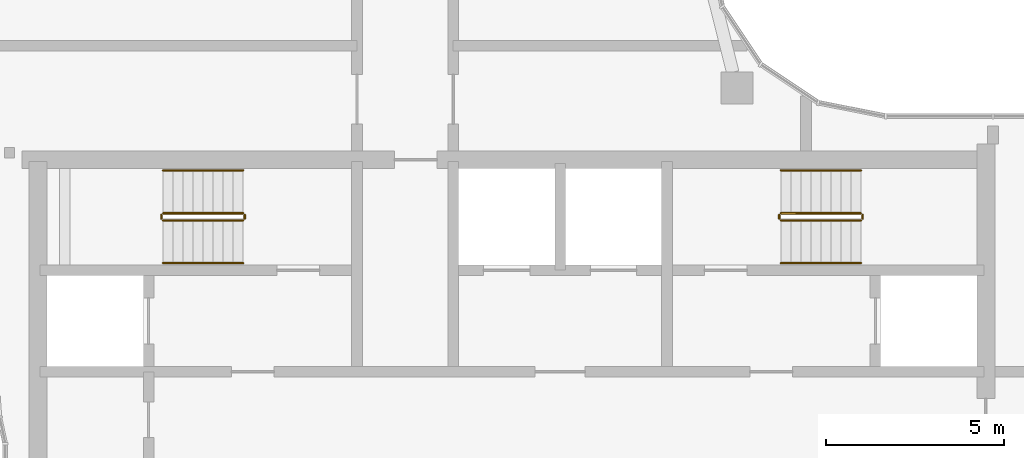
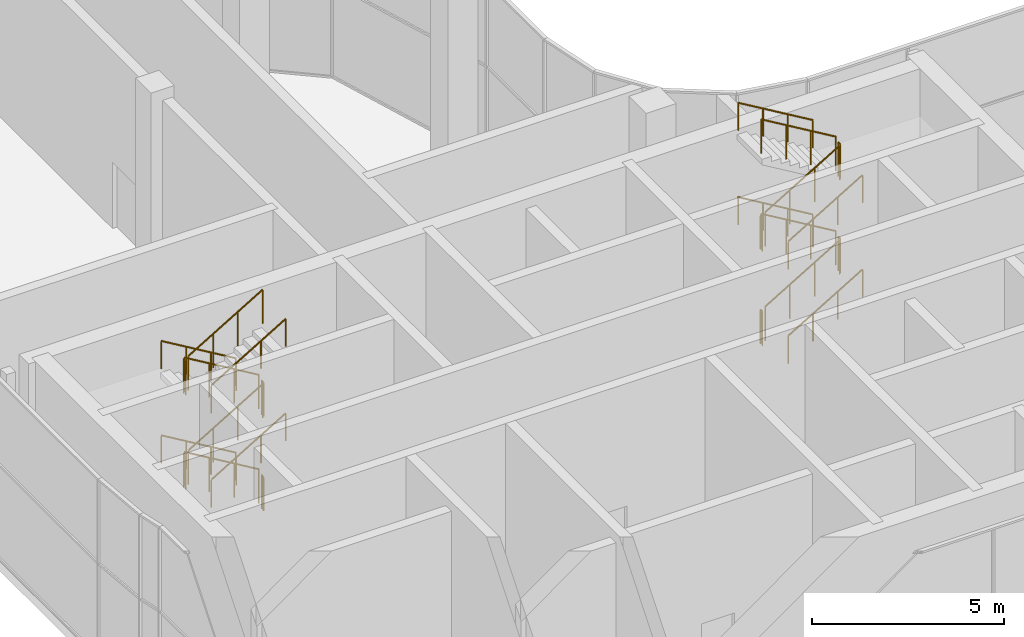
# One storey, part 20 of 21: 24 railings.
"""IFC4 building model written with IfcOpenShell, lengths in metres."""

from ifc_helpers import new_model, si_unit, direction, frame, origin, origin_2d, place, context, subcontext, project, spatial, circle, extrude, material, type_object, element, save


model = new_model("IFC4")

# Units and contexts
model_context = context("Model", 3, precision=1e-05, world=origin(), true_north=direction((0.0, 1.0)))
body_context = subcontext(model_context, "Body", "Model", "MODEL_VIEW")
ifc_project = project(units=[si_unit("LENGTHUNIT", "METRE"), si_unit("AREAUNIT", "SQUARE_METRE"), si_unit("VOLUMEUNIT", "CUBIC_METRE"), si_unit("PLANEANGLEUNIT", "RADIAN"), si_unit("MASSUNIT", "GRAM", prefix="KILO")], contexts=[model_context])

# Site, building, storey
site_placement = place(None, origin())
site = spatial("IfcSite", under=ifc_project, at=site_placement, CompositionType="ELEMENT")
building_placement = place(site_placement, origin())
building = spatial("IfcBuilding", under=site, at=building_placement, Name="Ogive Portal Towers", CompositionType="ELEMENT")
storey_placement = place(building_placement, frame((0.0, 0.0, 266.89990234375)))
storey = spatial("IfcBuildingStorey", under=building, at=storey_placement, Name="L65", CompositionType="ELEMENT", Elevation=266.89990234375)

# Railings
ifc_material_1 = material(Name="Stainless steel balustrade", Category="steel")
railing_type_1 = type_object("IfcRailingType", Name="INT-GUARD", PredefinedType="GUARDRAIL", material=ifc_material_1)
railing_1_placement = place(storey_placement, frame((37.449951171875, 37.800048828125, 0.166748046875)))
element("IfcRailing", 1, at=railing_1_placement, inside=storey, type_object=railing_type_1, Name="L65 ST-A1 stair guard 1", PredefinedType="GUARDRAIL", context=body_context, shape_type="SweptSolid", body=[
    extrude(circle(Radius=0.02392578125, at=origin_2d()), frame((0.0, 0.0, 1.076171875), z_axis=(-0.859305625298, 0.0, 0.511462454469), x_axis=(0.0, -1.0, 0.0)), (0.0, 0.0, 1.0), 2.606689453125),
    extrude(circle(Radius=0.02099609375, at=origin_2d()), origin(), (0.0, 0.0, 1.0), 1.052001953125),
    extrude(circle(Radius=0.02099609375, at=origin_2d()), frame((-0.74658203125, 0.0, 0.4443359375)), (0.0, 0.0, 1.0), 1.052001953125),
    extrude(circle(Radius=0.02099609375, at=origin_2d()), frame((-1.493408203125, 0.0, 0.888916015625)), (0.0, 0.0, 1.0), 1.052001953125),
    extrude(circle(Radius=0.02099609375, at=origin_2d()), frame((-2.239990234375, 0.0, 1.333251953125)), (0.0, 0.0, 1.0), 1.052001953125),
])
railing_2_placement = place(storey_placement, frame((35.159912109375, 37.75, 1.5)))
element("IfcRailing", 2, at=railing_2_placement, inside=storey, type_object=railing_type_1, Name="L65 ST-A1 stair guard 2", PredefinedType="GUARDRAIL", context=body_context, shape_type="SweptSolid", body=[
    extrude(circle(Radius=0.02392578125, at=origin_2d()), frame((0.0, 0.0, 1.076171875), z_axis=(0.0, -1.0, 0.0), x_axis=(1.0, 0.0, 0.0)), (0.0, 0.0, 1.0), 0.10009765625),
    extrude(circle(Radius=0.02099609375, at=origin_2d()), origin(), (0.0, 0.0, 1.0), 1.052001953125),
    extrude(circle(Radius=0.02099609375, at=origin_2d()), frame((0.0, -0.10009765625, 0.0)), (0.0, 0.0, 1.0), 1.052001953125),
])
railing_3_placement = place(storey_placement, frame((35.2099609375, 37.60009765625, 1.666748046875)))
element("IfcRailing", 3, at=railing_3_placement, inside=storey, type_object=railing_type_1, Name="L65 ST-A1 stair guard 3", PredefinedType="GUARDRAIL", context=body_context, shape_type="SweptSolid", body=[
    extrude(circle(Radius=0.02392578125, at=origin_2d()), frame((0.0, 0.0, 1.076171875), z_axis=(0.859305625298, 0.0, 0.511462454469), x_axis=(0.0, 1.0, 0.0)), (0.0, 0.0, 1.0), 2.606689453125),
    extrude(circle(Radius=0.02099609375, at=origin_2d()), origin(), (0.0, 0.0, 1.0), 1.052001953125),
    extrude(circle(Radius=0.02099609375, at=origin_2d()), frame((0.74658203125, 0.0, 0.4443359375)), (0.0, 0.0, 1.0), 1.052001953125),
    extrude(circle(Radius=0.02099609375, at=origin_2d()), frame((1.493408203125, 0.0, 0.888916015625)), (0.0, 0.0, 1.0), 1.052001953125),
    extrude(circle(Radius=0.02099609375, at=origin_2d()), frame((2.239990234375, 0.0, 1.333251953125)), (0.0, 0.0, 1.0), 1.052001953125),
])
railing_4_placement = place(storey_placement, frame((37.5, 37.75, 3.0)))
element("IfcRailing", 4, at=railing_4_placement, inside=storey, type_object=railing_type_1, Name="L65 ST-A1 stair guard 4", PredefinedType="GUARDRAIL", context=body_context, shape_type="SweptSolid", body=[
    extrude(circle(Radius=0.02392578125, at=origin_2d()), frame((0.0, 0.0, 1.076171875), z_axis=(0.0, -1.0, 0.0), x_axis=(1.0, 0.0, 0.0)), (0.0, 0.0, 1.0), 0.10009765625),
    extrude(circle(Radius=0.02099609375, at=origin_2d()), origin(), (0.0, 0.0, 1.0), 1.052001953125),
    extrude(circle(Radius=0.02099609375, at=origin_2d()), frame((0.0, -0.10009765625, 0.0)), (0.0, 0.0, 1.0), 1.052001953125),
])
railing_5_placement = place(storey_placement, frame((37.449951171875, 37.800048828125, 3.166748046875)))
element("IfcRailing", 5, at=railing_5_placement, inside=storey, type_object=railing_type_1, Name="L65 ST-A1 stair guard 5", PredefinedType="GUARDRAIL", context=body_context, shape_type="SweptSolid", body=[
    extrude(circle(Radius=0.02392578125, at=origin_2d()), frame((0.0, 0.0, 1.076171875), z_axis=(-0.859305625298, 0.0, 0.511462454469), x_axis=(0.0, -1.0, 0.0)), (0.0, 0.0, 1.0), 2.606689453125),
    extrude(circle(Radius=0.02099609375, at=origin_2d()), origin(), (0.0, 0.0, 1.0), 1.052001953125),
    extrude(circle(Radius=0.02099609375, at=origin_2d()), frame((-0.74658203125, 0.0, 0.4443359375)), (0.0, 0.0, 1.0), 1.052001953125),
    extrude(circle(Radius=0.02099609375, at=origin_2d()), frame((-1.493408203125, 0.0, 0.888916015625)), (0.0, 0.0, 1.0), 1.052001953125),
    extrude(circle(Radius=0.02099609375, at=origin_2d()), frame((-2.239990234375, 0.0, 1.333251953125)), (0.0, 0.0, 1.0), 1.052001953125),
])
railing_6_placement = place(storey_placement, frame((35.159912109375, 37.75, 4.5)))
element("IfcRailing", 6, at=railing_6_placement, inside=storey, type_object=railing_type_1, Name="L65 ST-A1 stair guard 6", PredefinedType="GUARDRAIL", context=body_context, shape_type="SweptSolid", body=[
    extrude(circle(Radius=0.02392578125, at=origin_2d()), frame((0.0, 0.0, 1.076171875), z_axis=(0.0, -1.0, 0.0), x_axis=(1.0, 0.0, 0.0)), (0.0, 0.0, 1.0), 0.10009765625),
    extrude(circle(Radius=0.02099609375, at=origin_2d()), origin(), (0.0, 0.0, 1.0), 1.052001953125),
    extrude(circle(Radius=0.02099609375, at=origin_2d()), frame((0.0, -0.10009765625, 0.0)), (0.0, 0.0, 1.0), 1.052001953125),
])
railing_7_placement = place(storey_placement, frame((35.2099609375, 37.60009765625, 4.666748046875)))
element("IfcRailing", 7, at=railing_7_placement, inside=storey, type_object=railing_type_1, Name="L65 ST-A1 stair guard 7", PredefinedType="GUARDRAIL", context=body_context, shape_type="SweptSolid", body=[
    extrude(circle(Radius=0.02392578125, at=origin_2d()), frame((0.0, 0.0, 1.076171875), z_axis=(0.859305625298, 0.0, 0.511462454469), x_axis=(0.0, 1.0, 0.0)), (0.0, 0.0, 1.0), 2.606689453125),
    extrude(circle(Radius=0.02099609375, at=origin_2d()), origin(), (0.0, 0.0, 1.0), 1.052001953125),
    extrude(circle(Radius=0.02099609375, at=origin_2d()), frame((0.74658203125, 0.0, 0.4443359375)), (0.0, 0.0, 1.0), 1.052001953125),
    extrude(circle(Radius=0.02099609375, at=origin_2d()), frame((1.493408203125, 0.0, 0.888916015625)), (0.0, 0.0, 1.0), 1.052001953125),
    extrude(circle(Radius=0.02099609375, at=origin_2d()), frame((2.239990234375, 0.0, 1.333251953125)), (0.0, 0.0, 1.0), 1.052001953125),
])
railing_8_placement = place(storey_placement, frame((37.5, 37.75, 0.0)))
element("IfcRailing", 8, at=railing_8_placement, inside=storey, type_object=railing_type_1, Name="L65 ST-A1 stair guard 8", PredefinedType="GUARDRAIL", context=body_context, shape_type="SweptSolid", body=[
    extrude(circle(Radius=0.02392578125, at=origin_2d()), frame((0.0, 0.0, 1.076171875), z_axis=(0.0, -1.0, 0.0), x_axis=(1.0, 0.0, 0.0)), (0.0, 0.0, 1.0), 0.10009765625),
    extrude(circle(Radius=0.02099609375, at=origin_2d()), origin(), (0.0, 0.0, 1.0), 1.052001953125),
    extrude(circle(Radius=0.02099609375, at=origin_2d()), frame((0.0, -0.10009765625, 0.0)), (0.0, 0.0, 1.0), 1.052001953125),
])
railing_9_placement = place(storey_placement, frame((52.550048828125, 37.60009765625, 0.166748046875)))
element("IfcRailing", 9, at=railing_9_placement, inside=storey, type_object=railing_type_1, Name="L65 ST-A2 stair guard 1", PredefinedType="GUARDRAIL", context=body_context, shape_type="SweptSolid", body=[
    extrude(circle(Radius=0.02392578125, at=origin_2d()), frame((0.0, 0.0, 1.076171875), z_axis=(0.859305625298, 0.0, 0.511462454469), x_axis=(0.0, 1.0, 0.0)), (0.0, 0.0, 1.0), 2.606689453125),
    extrude(circle(Radius=0.02099609375, at=origin_2d()), origin(), (0.0, 0.0, 1.0), 1.052001953125),
    extrude(circle(Radius=0.02099609375, at=origin_2d()), frame((0.74658203125, 0.0, 0.4443359375)), (0.0, 0.0, 1.0), 1.052001953125),
    extrude(circle(Radius=0.02099609375, at=origin_2d()), frame((1.493408203125, 0.0, 0.888916015625)), (0.0, 0.0, 1.0), 1.052001953125),
    extrude(circle(Radius=0.02099609375, at=origin_2d()), frame((2.239990234375, 0.0, 1.333251953125)), (0.0, 0.0, 1.0), 1.052001953125),
])
railing_10_placement = place(storey_placement, frame((54.840087890625, 37.64990234375, 1.5)))
element("IfcRailing", 10, at=railing_10_placement, inside=storey, type_object=railing_type_1, Name="L65 ST-A2 stair guard 2", PredefinedType="GUARDRAIL", context=body_context, shape_type="SweptSolid", body=[
    extrude(circle(Radius=0.02392578125, at=origin_2d()), frame((0.0, 0.0, 1.076171875), z_axis=(0.0, 1.0, 0.0), x_axis=(-1.0, 0.0, 0.0)), (0.0, 0.0, 1.0), 0.10009765625),
    extrude(circle(Radius=0.02099609375, at=origin_2d()), origin(), (0.0, 0.0, 1.0), 1.052001953125),
    extrude(circle(Radius=0.02099609375, at=origin_2d()), frame((0.0, 0.10009765625, 0.0)), (0.0, 0.0, 1.0), 1.052001953125),
])
railing_11_placement = place(storey_placement, frame((54.7900390625, 37.800048828125, 1.666748046875)))
element("IfcRailing", 11, at=railing_11_placement, inside=storey, type_object=railing_type_1, Name="L65 ST-A2 stair guard 3", PredefinedType="GUARDRAIL", context=body_context, shape_type="SweptSolid", body=[
    extrude(circle(Radius=0.02392578125, at=origin_2d()), frame((0.0, 0.0, 1.076171875), z_axis=(-0.859305625298, 0.0, 0.511462454469), x_axis=(0.0, -1.0, 0.0)), (0.0, 0.0, 1.0), 2.606689453125),
    extrude(circle(Radius=0.02099609375, at=origin_2d()), origin(), (0.0, 0.0, 1.0), 1.052001953125),
    extrude(circle(Radius=0.02099609375, at=origin_2d()), frame((-0.74658203125, 0.0, 0.4443359375)), (0.0, 0.0, 1.0), 1.052001953125),
    extrude(circle(Radius=0.02099609375, at=origin_2d()), frame((-1.493408203125, 0.0, 0.888916015625)), (0.0, 0.0, 1.0), 1.052001953125),
    extrude(circle(Radius=0.02099609375, at=origin_2d()), frame((-2.239990234375, 0.0, 1.333251953125)), (0.0, 0.0, 1.0), 1.052001953125),
])
railing_12_placement = place(storey_placement, frame((52.5, 37.64990234375, 3.0)))
element("IfcRailing", 12, at=railing_12_placement, inside=storey, type_object=railing_type_1, Name="L65 ST-A2 stair guard 4", PredefinedType="GUARDRAIL", context=body_context, shape_type="SweptSolid", body=[
    extrude(circle(Radius=0.02392578125, at=origin_2d()), frame((0.0, 0.0, 1.076171875), z_axis=(0.0, 1.0, 0.0), x_axis=(-1.0, 0.0, 0.0)), (0.0, 0.0, 1.0), 0.10009765625),
    extrude(circle(Radius=0.02099609375, at=origin_2d()), origin(), (0.0, 0.0, 1.0), 1.052001953125),
    extrude(circle(Radius=0.02099609375, at=origin_2d()), frame((0.0, 0.10009765625, 0.0)), (0.0, 0.0, 1.0), 1.052001953125),
])
railing_13_placement = place(storey_placement, frame((52.550048828125, 37.60009765625, 3.166748046875)))
element("IfcRailing", 13, at=railing_13_placement, inside=storey, type_object=railing_type_1, Name="L65 ST-A2 stair guard 5", PredefinedType="GUARDRAIL", context=body_context, shape_type="SweptSolid", body=[
    extrude(circle(Radius=0.02392578125, at=origin_2d()), frame((0.0, 0.0, 1.076171875), z_axis=(0.859305625298, 0.0, 0.511462454469), x_axis=(0.0, 1.0, 0.0)), (0.0, 0.0, 1.0), 2.606689453125),
    extrude(circle(Radius=0.02099609375, at=origin_2d()), origin(), (0.0, 0.0, 1.0), 1.052001953125),
    extrude(circle(Radius=0.02099609375, at=origin_2d()), frame((0.74658203125, 0.0, 0.4443359375)), (0.0, 0.0, 1.0), 1.052001953125),
    extrude(circle(Radius=0.02099609375, at=origin_2d()), frame((1.493408203125, 0.0, 0.888916015625)), (0.0, 0.0, 1.0), 1.052001953125),
    extrude(circle(Radius=0.02099609375, at=origin_2d()), frame((2.239990234375, 0.0, 1.333251953125)), (0.0, 0.0, 1.0), 1.052001953125),
])
railing_14_placement = place(storey_placement, frame((54.840087890625, 37.64990234375, 4.5)))
element("IfcRailing", 14, at=railing_14_placement, inside=storey, type_object=railing_type_1, Name="L65 ST-A2 stair guard 6", PredefinedType="GUARDRAIL", context=body_context, shape_type="SweptSolid", body=[
    extrude(circle(Radius=0.02392578125, at=origin_2d()), frame((0.0, 0.0, 1.076171875), z_axis=(0.0, 1.0, 0.0), x_axis=(-1.0, 0.0, 0.0)), (0.0, 0.0, 1.0), 0.10009765625),
    extrude(circle(Radius=0.02099609375, at=origin_2d()), origin(), (0.0, 0.0, 1.0), 1.052001953125),
    extrude(circle(Radius=0.02099609375, at=origin_2d()), frame((0.0, 0.10009765625, 0.0)), (0.0, 0.0, 1.0), 1.052001953125),
])
railing_15_placement = place(storey_placement, frame((54.7900390625, 37.800048828125, 4.666748046875)))
element("IfcRailing", 15, at=railing_15_placement, inside=storey, type_object=railing_type_1, Name="L65 ST-A2 stair guard 7", PredefinedType="GUARDRAIL", context=body_context, shape_type="SweptSolid", body=[
    extrude(circle(Radius=0.02392578125, at=origin_2d()), frame((0.0, 0.0, 1.076171875), z_axis=(-0.859305625298, 0.0, 0.511462454469), x_axis=(0.0, -1.0, 0.0)), (0.0, 0.0, 1.0), 2.606689453125),
    extrude(circle(Radius=0.02099609375, at=origin_2d()), origin(), (0.0, 0.0, 1.0), 1.052001953125),
    extrude(circle(Radius=0.02099609375, at=origin_2d()), frame((-0.74658203125, 0.0, 0.4443359375)), (0.0, 0.0, 1.0), 1.052001953125),
    extrude(circle(Radius=0.02099609375, at=origin_2d()), frame((-1.493408203125, 0.0, 0.888916015625)), (0.0, 0.0, 1.0), 1.052001953125),
    extrude(circle(Radius=0.02099609375, at=origin_2d()), frame((-2.239990234375, 0.0, 1.333251953125)), (0.0, 0.0, 1.0), 1.052001953125),
])
railing_16_placement = place(storey_placement, frame((52.5, 37.64990234375, 0.0)))
element("IfcRailing", 16, at=railing_16_placement, inside=storey, type_object=railing_type_1, Name="L65 ST-A2 stair guard 8", PredefinedType="GUARDRAIL", context=body_context, shape_type="SweptSolid", body=[
    extrude(circle(Radius=0.02392578125, at=origin_2d()), frame((0.0, 0.0, 1.076171875), z_axis=(0.0, 1.0, 0.0), x_axis=(-1.0, 0.0, 0.0)), (0.0, 0.0, 1.0), 0.10009765625),
    extrude(circle(Radius=0.02099609375, at=origin_2d()), origin(), (0.0, 0.0, 1.0), 1.052001953125),
    extrude(circle(Radius=0.02099609375, at=origin_2d()), frame((0.0, 0.10009765625, 0.0)), (0.0, 0.0, 1.0), 1.052001953125),
])
ifc_material_2 = material(Name="Stainless steel handrail", Category="steel")
railing_type_2 = type_object("IfcRailingType", Name="INT-HANDRAIL", PredefinedType="HANDRAIL", material=ifc_material_2)
railing_17_placement = place(storey_placement, frame((37.449951171875, 39.0, 0.166748046875)))
element("IfcRailing", 17, at=railing_17_placement, inside=storey, type_object=railing_type_2, Name="L65 ST-A1 stair handrail 1", PredefinedType="HANDRAIL", context=body_context, shape_type="SweptSolid", body=[
    extrude(circle(Radius=0.02392578125, at=origin_2d()), frame((0.0, 0.0, 0.8759765625), z_axis=(-0.859305625298, 0.0, 0.511462454469), x_axis=(0.0, -1.0, 0.0)), (0.0, 0.0, 1.0), 2.606689453125),
    extrude(circle(Radius=0.02099609375, at=origin_2d()), origin(), (0.0, 0.0, 1.0), 0.851806640625),
    extrude(circle(Radius=0.02099609375, at=origin_2d()), frame((-0.74658203125, 0.0, 0.4443359375)), (0.0, 0.0, 1.0), 0.851806640625),
    extrude(circle(Radius=0.02099609375, at=origin_2d()), frame((-1.493408203125, 0.0, 0.888916015625)), (0.0, 0.0, 1.0), 0.851806640625),
    extrude(circle(Radius=0.02099609375, at=origin_2d()), frame((-2.239990234375, 0.0, 1.333251953125)), (0.0, 0.0, 1.0), 0.851806640625),
])
railing_18_placement = place(storey_placement, frame((35.2099609375, 36.39990234375, 1.666748046875)))
element("IfcRailing", 18, at=railing_18_placement, inside=storey, type_object=railing_type_2, Name="L65 ST-A1 stair handrail 2", PredefinedType="HANDRAIL", context=body_context, shape_type="SweptSolid", body=[
    extrude(circle(Radius=0.02392578125, at=origin_2d()), frame((0.0, 0.0, 0.8759765625), z_axis=(0.859305625298, 0.0, 0.511462454469), x_axis=(0.0, 1.0, 0.0)), (0.0, 0.0, 1.0), 2.606689453125),
    extrude(circle(Radius=0.02099609375, at=origin_2d()), origin(), (0.0, 0.0, 1.0), 0.851806640625),
    extrude(circle(Radius=0.02099609375, at=origin_2d()), frame((0.74658203125, 0.0, 0.4443359375)), (0.0, 0.0, 1.0), 0.851806640625),
    extrude(circle(Radius=0.02099609375, at=origin_2d()), frame((1.493408203125, 0.0, 0.888916015625)), (0.0, 0.0, 1.0), 0.851806640625),
    extrude(circle(Radius=0.02099609375, at=origin_2d()), frame((2.239990234375, 0.0, 1.333251953125)), (0.0, 0.0, 1.0), 0.851806640625),
])
railing_19_placement = place(storey_placement, frame((37.449951171875, 39.0, 3.166748046875)))
element("IfcRailing", 19, at=railing_19_placement, inside=storey, type_object=railing_type_2, Name="L65 ST-A1 stair handrail 3", PredefinedType="HANDRAIL", context=body_context, shape_type="SweptSolid", body=[
    extrude(circle(Radius=0.02392578125, at=origin_2d()), frame((0.0, 0.0, 0.8759765625), z_axis=(-0.859305625298, 0.0, 0.511462454469), x_axis=(0.0, -1.0, 0.0)), (0.0, 0.0, 1.0), 2.606689453125),
    extrude(circle(Radius=0.02099609375, at=origin_2d()), origin(), (0.0, 0.0, 1.0), 0.851806640625),
    extrude(circle(Radius=0.02099609375, at=origin_2d()), frame((-0.74658203125, 0.0, 0.4443359375)), (0.0, 0.0, 1.0), 0.851806640625),
    extrude(circle(Radius=0.02099609375, at=origin_2d()), frame((-1.493408203125, 0.0, 0.888916015625)), (0.0, 0.0, 1.0), 0.851806640625),
    extrude(circle(Radius=0.02099609375, at=origin_2d()), frame((-2.239990234375, 0.0, 1.333251953125)), (0.0, 0.0, 1.0), 0.851806640625),
])
for number, where, name in (
    (20, (35.2099609375, 36.39990234375, 4.666748046875), "L65 ST-A1 stair handrail 4"),
    (21, (52.550048828125, 36.39990234375, 0.166748046875), "L65 ST-A2 stair handrail 1"),
):
    element("IfcRailing", number, at=place(storey_placement, frame(where)), inside=storey, type_object=railing_type_2, Name=name, PredefinedType="HANDRAIL", context=body_context, shape_type="SweptSolid", body=[
        extrude(circle(Radius=0.02392578125, at=origin_2d()), frame((0.0, 0.0, 0.8759765625), z_axis=(0.859305625298, 0.0, 0.511462454469), x_axis=(0.0, 1.0, 0.0)), (0.0, 0.0, 1.0), 2.606689453125),
        extrude(circle(Radius=0.02099609375, at=origin_2d()), origin(), (0.0, 0.0, 1.0), 0.851806640625),
        extrude(circle(Radius=0.02099609375, at=origin_2d()), frame((0.74658203125, 0.0, 0.4443359375)), (0.0, 0.0, 1.0), 0.851806640625),
        extrude(circle(Radius=0.02099609375, at=origin_2d()), frame((1.493408203125, 0.0, 0.888916015625)), (0.0, 0.0, 1.0), 0.851806640625),
        extrude(circle(Radius=0.02099609375, at=origin_2d()), frame((2.239990234375, 0.0, 1.333251953125)), (0.0, 0.0, 1.0), 0.851806640625),
    ])
railing_20_placement = place(storey_placement, frame((54.7900390625, 39.0, 1.666748046875)))
element("IfcRailing", 22, at=railing_20_placement, inside=storey, type_object=railing_type_2, Name="L65 ST-A2 stair handrail 2", PredefinedType="HANDRAIL", context=body_context, shape_type="SweptSolid", body=[
    extrude(circle(Radius=0.02392578125, at=origin_2d()), frame((0.0, 0.0, 0.8759765625), z_axis=(-0.859305625298, 0.0, 0.511462454469), x_axis=(0.0, -1.0, 0.0)), (0.0, 0.0, 1.0), 2.606689453125),
    extrude(circle(Radius=0.02099609375, at=origin_2d()), origin(), (0.0, 0.0, 1.0), 0.851806640625),
    extrude(circle(Radius=0.02099609375, at=origin_2d()), frame((-0.74658203125, 0.0, 0.4443359375)), (0.0, 0.0, 1.0), 0.851806640625),
    extrude(circle(Radius=0.02099609375, at=origin_2d()), frame((-1.493408203125, 0.0, 0.888916015625)), (0.0, 0.0, 1.0), 0.851806640625),
    extrude(circle(Radius=0.02099609375, at=origin_2d()), frame((-2.239990234375, 0.0, 1.333251953125)), (0.0, 0.0, 1.0), 0.851806640625),
])
railing_21_placement = place(storey_placement, frame((52.550048828125, 36.39990234375, 3.166748046875)))
element("IfcRailing", 23, at=railing_21_placement, inside=storey, type_object=railing_type_2, Name="L65 ST-A2 stair handrail 3", PredefinedType="HANDRAIL", context=body_context, shape_type="SweptSolid", body=[
    extrude(circle(Radius=0.02392578125, at=origin_2d()), frame((0.0, 0.0, 0.8759765625), z_axis=(0.859305625298, 0.0, 0.511462454469), x_axis=(0.0, 1.0, 0.0)), (0.0, 0.0, 1.0), 2.606689453125),
    extrude(circle(Radius=0.02099609375, at=origin_2d()), origin(), (0.0, 0.0, 1.0), 0.851806640625),
    extrude(circle(Radius=0.02099609375, at=origin_2d()), frame((0.74658203125, 0.0, 0.4443359375)), (0.0, 0.0, 1.0), 0.851806640625),
    extrude(circle(Radius=0.02099609375, at=origin_2d()), frame((1.493408203125, 0.0, 0.888916015625)), (0.0, 0.0, 1.0), 0.851806640625),
    extrude(circle(Radius=0.02099609375, at=origin_2d()), frame((2.239990234375, 0.0, 1.333251953125)), (0.0, 0.0, 1.0), 0.851806640625),
])
railing_22_placement = place(storey_placement, frame((54.7900390625, 39.0, 4.666748046875)))
element("IfcRailing", 24, at=railing_22_placement, inside=storey, type_object=railing_type_2, Name="L65 ST-A2 stair handrail 4", PredefinedType="HANDRAIL", context=body_context, shape_type="SweptSolid", body=[
    extrude(circle(Radius=0.02392578125, at=origin_2d()), frame((0.0, 0.0, 0.8759765625), z_axis=(-0.859305625298, 0.0, 0.511462454469), x_axis=(0.0, -1.0, 0.0)), (0.0, 0.0, 1.0), 2.606689453125),
    extrude(circle(Radius=0.02099609375, at=origin_2d()), origin(), (0.0, 0.0, 1.0), 0.851806640625),
    extrude(circle(Radius=0.02099609375, at=origin_2d()), frame((-0.74658203125, 0.0, 0.4443359375)), (0.0, 0.0, 1.0), 0.851806640625),
    extrude(circle(Radius=0.02099609375, at=origin_2d()), frame((-1.493408203125, 0.0, 0.888916015625)), (0.0, 0.0, 1.0), 0.851806640625),
    extrude(circle(Radius=0.02099609375, at=origin_2d()), frame((-2.239990234375, 0.0, 1.333251953125)), (0.0, 0.0, 1.0), 0.851806640625),
])

save(model, "model.ifc")
